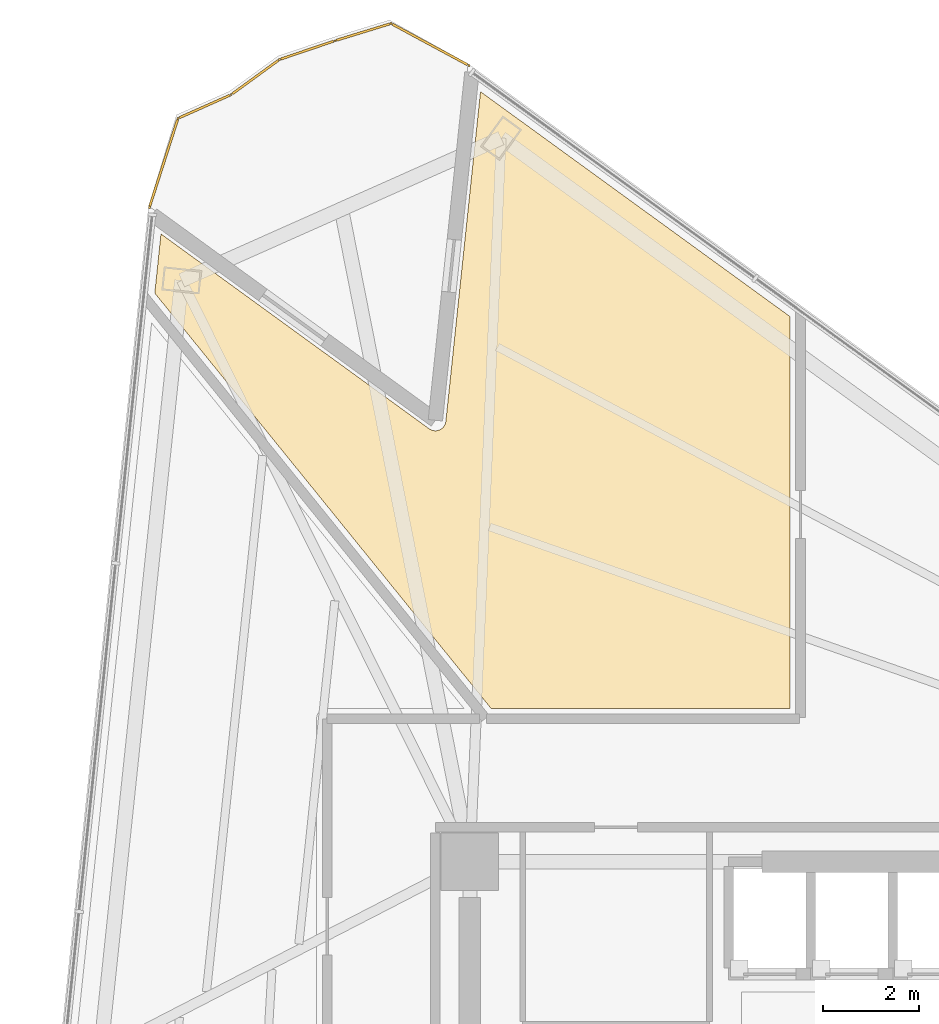
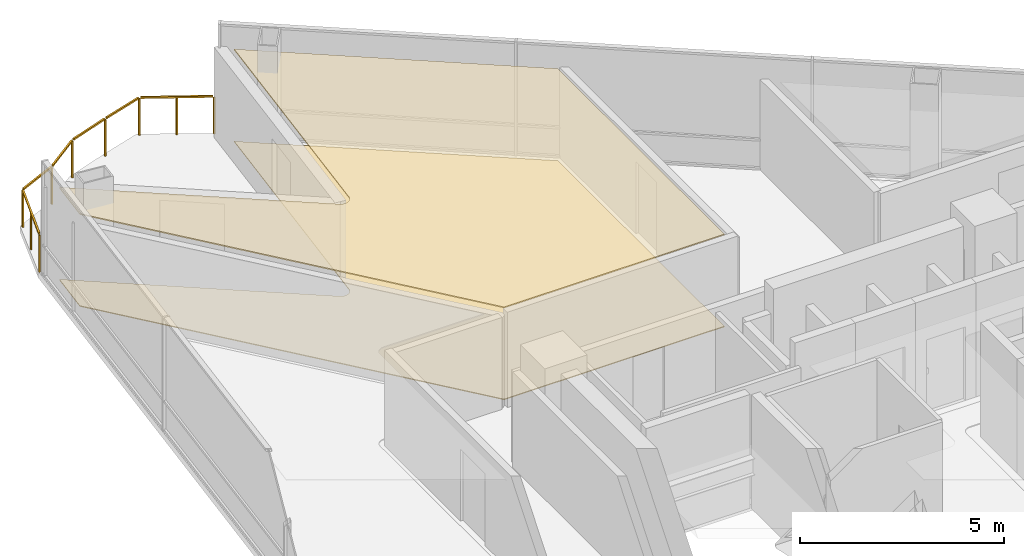
# One storey, part 17 of 17: 2 coverings, 1 railing.
"""IFC4 building model written with IfcOpenShell, lengths in metres."""

import ifcopenshell
import ifcopenshell.guid

model = None  # the IFC model being written
_history = None  # IfcOwnerHistory: only IFC2X3 demands one
_inside = {}  # id of a spatial element -> (the spatial element, [elements in it])
_under = {}  # id of a project, library or spatial element -> (it, [spatial elements below it])
_declared = {}  # id of a project -> (the project, [libraries it declares])
_typed = {}  # id of a type object -> (the type object, [elements of that type])
_made_of = {}  # id of a material, layer set ... -> (it, [elements and type objects made of it])


def new_model(schema):
    """Start an empty IFC model of exactly this schema.

    Asked for "IFC4X3", IfcOpenShell would pick the latest addendum, in which some entities
    have other attributes; the version numbers below select the first issue.
    IFC2X3 requires an IfcOwnerHistory on every rooted entity: one is made here for all.
    """
    global model, _history
    if schema == "IFC4X3":
        model = ifcopenshell.file(schema_version=(4, 3, 0, 0))
    else:
        model = ifcopenshell.file(schema=schema)
    _inside.clear()
    _under.clear()
    _declared.clear()
    _typed.clear()
    _made_of.clear()
    _history = None
    if model.schema == "IFC2X3":
        org = make("IfcOrganization", Name="unknown")
        user = make(
            "IfcPersonAndOrganization",
            ThePerson=make("IfcPerson", FamilyName="unknown"),
            TheOrganization=org,
        )
        app = make(
            "IfcApplication",
            ApplicationDeveloper=org,
            Version="unknown",
            ApplicationFullName="unknown",
            ApplicationIdentifier="unknown",
        )
        _history = make(
            "IfcOwnerHistory",
            OwningUser=user,
            OwningApplication=app,
            ChangeAction="ADDED",
            CreationDate=0,
        )
    return model


def make(cls, **values):
    """One entity of the class cls with the attributes given. An attribute that is None is left unset."""
    return model.create_entity(
        cls, **{name: value for name, value in values.items() if value is not None}
    )


def rooted(cls, **values):
    """An entity with a GlobalId (a new one), such as an element, a storey or a relation."""
    return make(cls, GlobalId=ifcopenshell.guid.new(), OwnerHistory=_history, **values)


def si_unit(unit_type, name, prefix=None):
    """IfcSIUnit, for example si_unit("LENGTHUNIT", "METRE", prefix="MILLI")."""
    return make("IfcSIUnit", UnitType=unit_type, Prefix=prefix, Name=name)


def assignment(units):
    """IfcUnitAssignment: the units of a project."""
    return None if units is None else make("IfcUnitAssignment", Units=units)


def point(xyz):
    """IfcCartesianPoint."""
    return None if xyz is None else make("IfcCartesianPoint", Coordinates=xyz)


def direction(xyz):
    """IfcDirection."""
    return None if xyz is None else make("IfcDirection", DirectionRatios=xyz)


def frame(location, z_axis=None, x_axis=None):
    """IfcAxis2Placement3D, a coordinate frame: its origin and axes. An axis left out is left unset."""
    return make(
        "IfcAxis2Placement3D",
        Location=point(location),
        Axis=direction(z_axis),
        RefDirection=direction(x_axis),
    )


def frame_2d(location, x_axis=None):
    """IfcAxis2Placement2D, a coordinate frame in the plane: its origin and x axis."""
    return make(
        "IfcAxis2Placement2D", Location=point(location), RefDirection=direction(x_axis)
    )


def origin():
    """The frame at (0, 0, 0) with its axes left unset."""
    return frame((0.0, 0.0, 0.0))


def origin_2d():
    """The frame at (0, 0) in the plane with its x axis left unset."""
    return frame_2d((0.0, 0.0))


def place(relative_to, where):
    """IfcLocalPlacement: puts the frame where relative to a parent placement (None: the world)."""
    return make(
        "IfcLocalPlacement", PlacementRelTo=relative_to, RelativePlacement=where
    )


def context(
    kind, dimensions, precision=None, world=None, true_north=None, identifier=None
):
    """IfcGeometricRepresentationContext, for example the 3D "Model" context."""
    return make(
        "IfcGeometricRepresentationContext",
        ContextIdentifier=identifier,
        ContextType=kind,
        CoordinateSpaceDimension=dimensions,
        Precision=precision,
        WorldCoordinateSystem=world,
        TrueNorth=true_north,
    )


def subcontext(parent, identifier, kind, view, scale=None):
    """IfcGeometricRepresentationSubContext, for example "Body" below "Model"."""
    return make(
        "IfcGeometricRepresentationSubContext",
        ContextIdentifier=identifier,
        ContextType=kind,
        ParentContext=parent,
        TargetScale=scale,
        TargetView=view,
    )


def project(units=None, contexts=None):
    """IfcProject with its units and contexts."""
    return rooted(
        "IfcProject",
        Name="project",
        RepresentationContexts=contexts,
        UnitsInContext=assignment(units),
    )


def spatial(cls, under=None, at=None, **own):
    """A site, building, storey or space (cls), placed at a placement, below another one or the project."""
    s = rooted(cls, ObjectPlacement=at, **own)
    if under is not None:
        _under.setdefault(under.id(), (under, []))[1].append(s)
    return s


def polyline(points):
    """IfcPolyline through the points."""
    return make("IfcPolyline", Points=[point(p) for p in points])


def profile(cls, at=None, kind="AREA", **sizes):
    """A parametric profile (cls). Its sizes go by their IFC names, for example OverallWidth=200.0."""
    return make(cls, ProfileType=kind, Position=at, **sizes)


def rectangle(**sizes):
    """IfcRectangleProfileDef."""
    return profile("IfcRectangleProfileDef", **sizes)


def outline(outer, holes=None, kind="AREA"):
    """IfcArbitraryClosedProfileDef: a profile drawn as a closed curve; with holes, ...WithVoids."""
    if holes is None:
        return make("IfcArbitraryClosedProfileDef", ProfileType=kind, OuterCurve=outer)
    return make(
        "IfcArbitraryProfileDefWithVoids",
        ProfileType=kind,
        OuterCurve=outer,
        InnerCurves=holes,
    )


def extrude(swept, where, along, depth):
    """IfcExtrudedAreaSolid: the profile swept, set in the frame where, extruded along a direction by depth."""
    return make(
        "IfcExtrudedAreaSolid",
        SweptArea=swept,
        Position=where,
        ExtrudedDirection=direction(along),
        Depth=depth,
    )


def shape(context_of_items, identifier, shape_type, items):
    """IfcShapeRepresentation: the items that make up one representation, for example the "Body"."""
    return make(
        "IfcShapeRepresentation",
        ContextOfItems=context_of_items,
        RepresentationIdentifier=identifier,
        RepresentationType=shape_type,
        Items=items,
    )


def material(Name=None, Category=None):
    """IfcMaterial."""
    return make("IfcMaterial", Name=Name, Category=Category)


def layer(
    of_material, thickness, ventilated=None, Name=None, Category=None, Priority=None
):
    """IfcMaterialLayer: one layer of a wall or slab, of a material (None: an air gap)."""
    return make(
        "IfcMaterialLayer",
        Material=of_material,
        LayerThickness=thickness,
        IsVentilated=ventilated,
        Name=Name,
        Category=Category,
        Priority=Priority,
    )


def layer_set(layers, Name=None):
    """IfcMaterialLayerSet."""
    return make("IfcMaterialLayerSet", MaterialLayers=layers, LayerSetName=Name)


def made_of(thing, what):
    """Note that an element or type object is made of a material, layer set ...; save() writes the relation."""
    if what is not None:
        _made_of.setdefault(what.id(), (what, []))[1].append(thing)
    return thing


def type_object(cls, material=None, **own):
    """A type object (cls), such as IfcWallType, which elements share."""
    return made_of(rooted(cls, **own), material)


def element(
    cls,
    number,
    at=None,
    inside=None,
    cuts=None,
    type_object=None,
    material=None,
    context=None,
    identifier="Body",
    shape_type=None,
    held_by="IfcProductDefinitionShape",
    body=None,
    shapes=None,
    **own,
):
    """One element of the class cls, such as IfcWall. Its Tag is "e" and its number.

    at: its placement. inside: the storey or other place that contains it. cuts: it is an
    opening in that element (IfcRelVoidsElement). A single representation is given by context,
    identifier, shape_type and body (its items); several are given by shapes. held_by: the class
    of the entity that holds the representations. save() writes the other relations.
    """
    e = rooted(cls, Tag="e%d" % number, ObjectPlacement=at, **own)
    if body is not None:
        shapes = [shape(context, identifier, shape_type, body)]
    if shapes is not None:
        e.Representation = make(held_by, Representations=shapes)
    if inside is not None:
        _inside.setdefault(inside.id(), (inside, []))[1].append(e)
    if cuts is not None:
        rooted(
            "IfcRelVoidsElement", RelatingBuildingElement=cuts, RelatedOpeningElement=e
        )
    if type_object is not None:
        _typed.setdefault(type_object.id(), (type_object, []))[1].append(e)
    return made_of(e, material)


def aggregate(whole, parts):
    """IfcRelAggregates: a whole, such as a stair, and the parts it consists of."""
    return rooted("IfcRelAggregates", RelatingObject=whole, RelatedObjects=parts)


def save(model, path):
    """Write the relations noted so far, then the file.

    IfcRelAggregates (storeys below a building ...), IfcRelContainedInSpatialStructure (elements
    in a storey), IfcRelDefinesByType, IfcRelAssociatesMaterial and IfcRelDeclares: one each for
    every whole, place, type object, material and project.
    """
    for whole, parts in _under.values():
        aggregate(whole, parts)
    for where, things in _inside.values():
        rooted(
            "IfcRelContainedInSpatialStructure",
            RelatedElements=things,
            RelatingStructure=where,
        )
    for kind, things in _typed.values():
        rooted("IfcRelDefinesByType", RelatedObjects=things, RelatingType=kind)
    for what, things in _made_of.values():
        rooted("IfcRelAssociatesMaterial", RelatedObjects=things, RelatingMaterial=what)
    for by, libraries in _declared.values():
        rooted("IfcRelDeclares", RelatingContext=by, RelatedDefinitions=libraries)
    model.write(path)


model = new_model("IFC4")

# Units and contexts
model_context = context("Model", 3, precision=1e-05, world=origin(), true_north=direction((0.0, 1.0)))
body_context = subcontext(model_context, "Body", "Model", "MODEL_VIEW")
ifc_project = project(units=[si_unit("LENGTHUNIT", "METRE"), si_unit("AREAUNIT", "SQUARE_METRE"), si_unit("VOLUMEUNIT", "CUBIC_METRE"), si_unit("PLANEANGLEUNIT", "RADIAN"), si_unit("MASSUNIT", "GRAM", prefix="KILO")], contexts=[model_context])

# Site, building, storey
site_placement = place(None, origin())
site = spatial("IfcSite", under=ifc_project, at=site_placement, CompositionType="ELEMENT")
building_placement = place(site_placement, origin())
building = spatial("IfcBuilding", under=site, at=building_placement, Name="Tharavind Bronze Gate", CompositionType="ELEMENT")
storey_placement = place(building_placement, frame((0.0, 0.0, 119.64990234375)))
storey = spatial("IfcBuildingStorey", under=building, at=storey_placement, Name="L30", CompositionType="ELEMENT", Elevation=119.64990234375)

# Coverings
ifc_material_1 = material(Name="Engineered Oak & Carpet Tile", Category="wood")
ifc_layer_1 = layer(ifc_material_1, 0.02490234375)
ifc_layer_set_1 = layer_set([ifc_layer_1], Name="Engineered Oak & Carpet Tile")
covering_type_1 = type_object("IfcCoveringType", Name="ENGINEERED TIMBER FLOORING", PredefinedType="FLOORING", material=ifc_layer_set_1)
covering_1_placement = place(storey_placement, origin())
element("IfcCovering", 1, at=covering_1_placement, inside=storey, type_object=covering_type_1, Name="L30-RM-02 floor finish", PredefinedType="FLOORING", context=body_context, shape_type="SweptSolid", body=[
    extrude(outline(polyline([(-15.478515625, 19.464111328125), (-8.462646484375, 10.800048828125), (-2.219970703125, 10.800048828125), (-2.219970703125, 18.9755859375), (-8.6796875, 23.6689453125), (-9.40283203125, 16.78857421875), (-9.404296875, 16.777587890625), (-9.404296875, 16.777099609375), (-9.408935546875, 16.755615234375), (-9.41552734375, 16.734619140625), (-9.424072265625, 16.714599609375), (-9.434814453125, 16.6953125), (-9.447021484375, 16.67724609375), (-9.461181640625, 16.660400390625), (-9.47705078125, 16.645263671875), (-9.494384765625, 16.631591796875), (-9.5126953125, 16.619873046875), (-9.5322265625, 16.610107421875), (-9.552734375, 16.60205078125), (-9.573974609375, 16.59619140625), (-9.595703125, 16.592529296875), (-9.617431640625, 16.591064453125), (-9.639404296875, 16.591796875), (-9.6611328125, 16.594482421875), (-9.6826171875, 16.599609375), (-9.703125, 16.606689453125), (-9.72314453125, 16.61572265625), (-9.7421875, 16.626708984375), (-9.74267578125, 16.627197265625), (-9.751708984375, 16.63330078125), (-15.3486328125, 20.69970703125), (-15.478515625, 19.464111328125)])), origin(), (0.0, 0.0, 1.0), 0.025146484375),
])
ifc_material_2 = material(Name="Acoustic Gypsum Board", Category="gypsum")
ifc_layer_2 = layer(ifc_material_2, 0.030029296875)
ifc_layer_set_2 = layer_set([ifc_layer_2], Name="Acoustic Gypsum Board")
covering_type_2 = type_object("IfcCoveringType", Name="GYPSUM SUSPENDED CEILING", PredefinedType="CEILING", material=ifc_layer_set_2)
covering_2_placement = place(storey_placement, frame((0.0, 0.0, 2.75)))
element("IfcCovering", 2, at=covering_2_placement, inside=storey, type_object=covering_type_2, Name="L30-RM-02 suspended ceiling", PredefinedType="CEILING", context=body_context, shape_type="SweptSolid", body=[
    extrude(outline(polyline([(-15.478515625, 19.464111328125), (-8.462646484375, 10.800048828125), (-2.219970703125, 10.800048828125), (-2.219970703125, 18.9755859375), (-8.6796875, 23.6689453125), (-9.40283203125, 16.78857421875), (-9.404296875, 16.777587890625), (-9.404296875, 16.777099609375), (-9.408935546875, 16.755615234375), (-9.41552734375, 16.734619140625), (-9.424072265625, 16.714599609375), (-9.434814453125, 16.6953125), (-9.447021484375, 16.67724609375), (-9.461181640625, 16.660400390625), (-9.47705078125, 16.645263671875), (-9.494384765625, 16.631591796875), (-9.5126953125, 16.619873046875), (-9.5322265625, 16.610107421875), (-9.552734375, 16.60205078125), (-9.573974609375, 16.59619140625), (-9.595703125, 16.592529296875), (-9.617431640625, 16.591064453125), (-9.639404296875, 16.591796875), (-9.6611328125, 16.594482421875), (-9.6826171875, 16.599609375), (-9.703125, 16.606689453125), (-9.72314453125, 16.61572265625), (-9.7421875, 16.626708984375), (-9.74267578125, 16.627197265625), (-9.751708984375, 16.63330078125), (-15.3486328125, 20.69970703125), (-15.478515625, 19.464111328125)])), origin(), (0.0, 0.0, 1.0), 0.03515625),
])

# Railing
ifc_material_3 = material(Name="Bronze Cap & Laminated Glass", Category="glass")
railing_type = type_object("IfcRailingType", Name="TERRACE GLASS GUARD RAILING 1150", PredefinedType="GUARDRAIL", material=ifc_material_3)
railing_placement = place(storey_placement, frame((-15.5927734375, 21.247802734375, 0.0)))
element("IfcRailing", 3, at=railing_placement, inside=storey, type_object=railing_type, Name="L30 tree balcony guard railing", PredefinedType="GUARDRAIL", context=body_context, shape_type="SweptSolid", body=[
    extrude(rectangle(XDim=0.048095703125, YDim=0.048095703125, at=origin_2d()), frame((0.009765625, 0.030517578125, 1.1259765625), z_axis=(0.305964803424, 0.952042824176, 0.0), x_axis=(-0.952042824176, 0.305964803424, 0.0)), (0.0, 0.0, 1.0), 1.89501953125),
    extrude(rectangle(XDim=0.048095703125, YDim=0.048095703125, at=origin_2d()), frame((0.628662109375, 1.8779296875, 1.1259765625), z_axis=(0.913480304847, 0.406882947119, 0.0), x_axis=(-0.406882947119, 0.913480304847, 0.0)), (0.0, 0.0, 1.0), 1.15283203125),
    extrude(rectangle(XDim=0.048095703125, YDim=0.048095703125, at=origin_2d()), frame((1.73681640625, 2.37890625, 1.1259765625), z_axis=(0.808328551704, 0.588731647272, 0.0), x_axis=(-0.588731647272, 0.808328551704, 0.0)), (0.0, 0.0, 1.0), 1.18017578125),
    extrude(rectangle(XDim=0.048095703125, YDim=0.048095703125, at=origin_2d()), frame((2.746826171875, 3.102783203125, 1.1259765625), z_axis=(0.947113235221, 0.32089954763, 0.0), x_axis=(-0.32089954763, 0.947113235221, 0.0)), (0.0, 0.0, 1.0), 1.157958984375),
    extrude(rectangle(XDim=0.048095703125, YDim=0.048095703125, at=origin_2d()), frame((3.904296875, 3.493896484375, 1.1259765625), z_axis=(0.955925323722, 0.293609903556, 0.0), x_axis=(-0.293609903556, 0.955925323722, 0.0)), (0.0, 0.0, 1.0), 1.16162109375),
    extrude(rectangle(XDim=0.048095703125, YDim=0.048095703125, at=origin_2d()), frame((5.073486328125, 3.829345703125, 1.1259765625), z_axis=(0.880237226365, -0.474533903236, 0.0), x_axis=(0.474533903236, 0.880237226365, 0.0)), (0.0, 0.0, 1.0), 1.780517578125),
    extrude(rectangle(XDim=0.0400390625, YDim=0.0400390625, at=origin_2d()), origin(), (0.0, 0.0, 1.0), 1.097900390625),
    extrude(rectangle(XDim=0.0400390625, YDim=0.0400390625, at=origin_2d()), frame((0.2998046875, 0.9326171875, 0.0)), (0.0, 0.0, 1.0), 1.097900390625),
    extrude(rectangle(XDim=0.0400390625, YDim=0.0400390625, at=origin_2d()), frame((0.599365234375, 1.864990234375, 0.0)), (0.0, 0.0, 1.0), 1.097900390625),
    extrude(rectangle(XDim=0.0400390625, YDim=0.0400390625, at=origin_2d()), frame((1.7109375, 2.360107421875, 0.0)), (0.0, 0.0, 1.0), 1.097900390625),
    extrude(rectangle(XDim=0.0400390625, YDim=0.0400390625, at=origin_2d()), frame((2.716552734375, 3.092529296875, 0.0)), (0.0, 0.0, 1.0), 1.097900390625),
    extrude(rectangle(XDim=0.0400390625, YDim=0.0400390625, at=origin_2d()), frame((3.873779296875, 3.484619140625, 0.0)), (0.0, 0.0, 1.0), 1.097900390625),
    extrude(rectangle(XDim=0.0400390625, YDim=0.0400390625, at=origin_2d()), frame((5.04541015625, 3.844482421875, 0.0)), (0.0, 0.0, 1.0), 1.097900390625),
    extrude(rectangle(XDim=0.0400390625, YDim=0.0400390625, at=origin_2d()), frame((5.857177734375, 3.40673828125, 0.0)), (0.0, 0.0, 1.0), 1.097900390625),
    extrude(rectangle(XDim=0.0400390625, YDim=0.0400390625, at=origin_2d()), frame((6.6689453125, 2.96923828125, 0.0)), (0.0, 0.0, 1.0), 1.097900390625),
])

save(model, "model.ifc")
